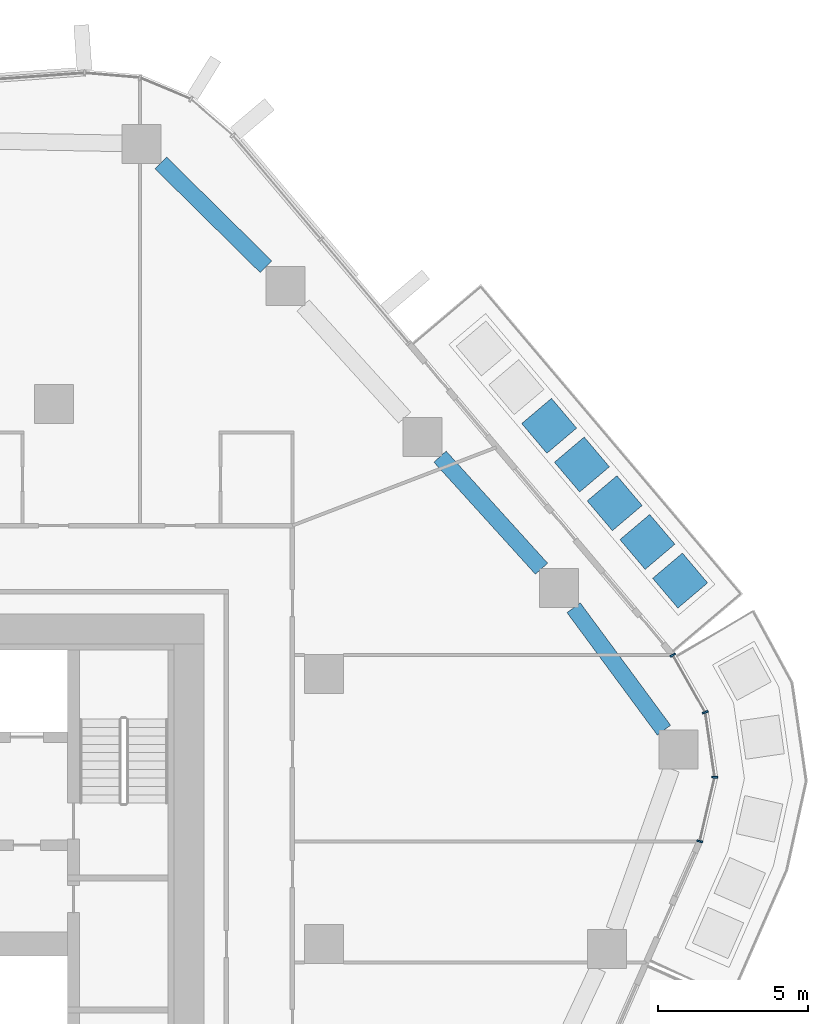
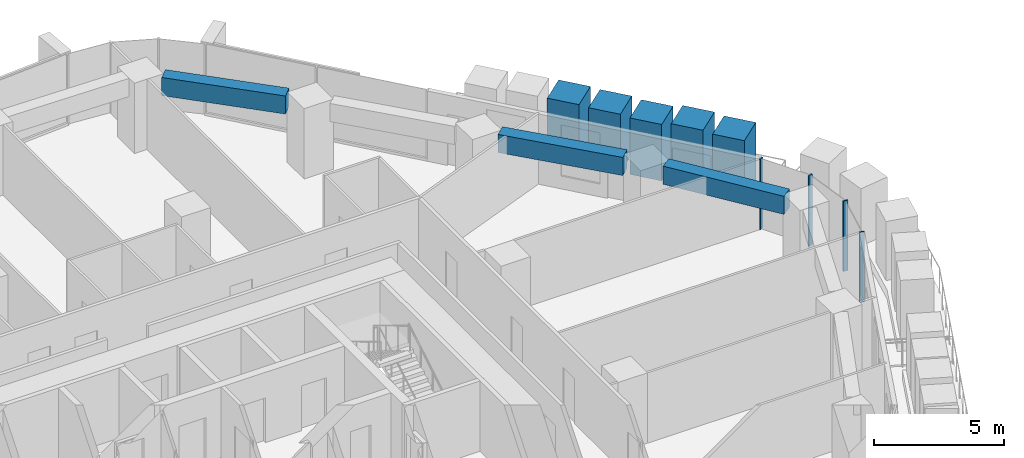
# One storey, part 8 of 24: 9 members, 3 beams, 1 element without a shape of its own.
"""IFC4 building model written with IfcOpenShell, lengths in metres."""

import ifcopenshell
import ifcopenshell.guid

model = None  # the IFC model being written
_history = None  # IfcOwnerHistory: only IFC2X3 demands one
_inside = {}  # id of a spatial element -> (the spatial element, [elements in it])
_under = {}  # id of a project, library or spatial element -> (it, [spatial elements below it])
_declared = {}  # id of a project -> (the project, [libraries it declares])
_typed = {}  # id of a type object -> (the type object, [elements of that type])
_made_of = {}  # id of a material, layer set ... -> (it, [elements and type objects made of it])


def new_model(schema):
    """Start an empty IFC model of exactly this schema.

    Asked for "IFC4X3", IfcOpenShell would pick the latest addendum, in which some entities
    have other attributes; the version numbers below select the first issue.
    IFC2X3 requires an IfcOwnerHistory on every rooted entity: one is made here for all.
    """
    global model, _history
    if schema == "IFC4X3":
        model = ifcopenshell.file(schema_version=(4, 3, 0, 0))
    else:
        model = ifcopenshell.file(schema=schema)
    _inside.clear()
    _under.clear()
    _declared.clear()
    _typed.clear()
    _made_of.clear()
    _history = None
    if model.schema == "IFC2X3":
        org = make("IfcOrganization", Name="unknown")
        user = make(
            "IfcPersonAndOrganization",
            ThePerson=make("IfcPerson", FamilyName="unknown"),
            TheOrganization=org,
        )
        app = make(
            "IfcApplication",
            ApplicationDeveloper=org,
            Version="unknown",
            ApplicationFullName="unknown",
            ApplicationIdentifier="unknown",
        )
        _history = make(
            "IfcOwnerHistory",
            OwningUser=user,
            OwningApplication=app,
            ChangeAction="ADDED",
            CreationDate=0,
        )
    return model


def make(cls, **values):
    """One entity of the class cls with the attributes given. An attribute that is None is left unset."""
    return model.create_entity(
        cls, **{name: value for name, value in values.items() if value is not None}
    )


def rooted(cls, **values):
    """An entity with a GlobalId (a new one), such as an element, a storey or a relation."""
    return make(cls, GlobalId=ifcopenshell.guid.new(), OwnerHistory=_history, **values)


def si_unit(unit_type, name, prefix=None):
    """IfcSIUnit, for example si_unit("LENGTHUNIT", "METRE", prefix="MILLI")."""
    return make("IfcSIUnit", UnitType=unit_type, Prefix=prefix, Name=name)


def assignment(units):
    """IfcUnitAssignment: the units of a project."""
    return None if units is None else make("IfcUnitAssignment", Units=units)


def point(xyz):
    """IfcCartesianPoint."""
    return None if xyz is None else make("IfcCartesianPoint", Coordinates=xyz)


def direction(xyz):
    """IfcDirection."""
    return None if xyz is None else make("IfcDirection", DirectionRatios=xyz)


def frame(location, z_axis=None, x_axis=None):
    """IfcAxis2Placement3D, a coordinate frame: its origin and axes. An axis left out is left unset."""
    return make(
        "IfcAxis2Placement3D",
        Location=point(location),
        Axis=direction(z_axis),
        RefDirection=direction(x_axis),
    )


def frame_2d(location, x_axis=None):
    """IfcAxis2Placement2D, a coordinate frame in the plane: its origin and x axis."""
    return make(
        "IfcAxis2Placement2D", Location=point(location), RefDirection=direction(x_axis)
    )


def origin():
    """The frame at (0, 0, 0) with its axes left unset."""
    return frame((0.0, 0.0, 0.0))


def origin_2d():
    """The frame at (0, 0) in the plane with its x axis left unset."""
    return frame_2d((0.0, 0.0))


def place(relative_to, where):
    """IfcLocalPlacement: puts the frame where relative to a parent placement (None: the world)."""
    return make(
        "IfcLocalPlacement", PlacementRelTo=relative_to, RelativePlacement=where
    )


def context(
    kind, dimensions, precision=None, world=None, true_north=None, identifier=None
):
    """IfcGeometricRepresentationContext, for example the 3D "Model" context."""
    return make(
        "IfcGeometricRepresentationContext",
        ContextIdentifier=identifier,
        ContextType=kind,
        CoordinateSpaceDimension=dimensions,
        Precision=precision,
        WorldCoordinateSystem=world,
        TrueNorth=true_north,
    )


def subcontext(parent, identifier, kind, view, scale=None):
    """IfcGeometricRepresentationSubContext, for example "Body" below "Model"."""
    return make(
        "IfcGeometricRepresentationSubContext",
        ContextIdentifier=identifier,
        ContextType=kind,
        ParentContext=parent,
        TargetScale=scale,
        TargetView=view,
    )


def project(units=None, contexts=None):
    """IfcProject with its units and contexts."""
    return rooted(
        "IfcProject",
        Name="project",
        RepresentationContexts=contexts,
        UnitsInContext=assignment(units),
    )


def spatial(cls, under=None, at=None, **own):
    """A site, building, storey or space (cls), placed at a placement, below another one or the project."""
    s = rooted(cls, ObjectPlacement=at, **own)
    if under is not None:
        _under.setdefault(under.id(), (under, []))[1].append(s)
    return s


def profile(cls, at=None, kind="AREA", **sizes):
    """A parametric profile (cls). Its sizes go by their IFC names, for example OverallWidth=200.0."""
    return make(cls, ProfileType=kind, Position=at, **sizes)


def rectangle(**sizes):
    """IfcRectangleProfileDef."""
    return profile("IfcRectangleProfileDef", **sizes)


def extrude(swept, where, along, depth):
    """IfcExtrudedAreaSolid: the profile swept, set in the frame where, extruded along a direction by depth."""
    return make(
        "IfcExtrudedAreaSolid",
        SweptArea=swept,
        Position=where,
        ExtrudedDirection=direction(along),
        Depth=depth,
    )


def shape(context_of_items, identifier, shape_type, items):
    """IfcShapeRepresentation: the items that make up one representation, for example the "Body"."""
    return make(
        "IfcShapeRepresentation",
        ContextOfItems=context_of_items,
        RepresentationIdentifier=identifier,
        RepresentationType=shape_type,
        Items=items,
    )


def material(Name=None, Category=None):
    """IfcMaterial."""
    return make("IfcMaterial", Name=Name, Category=Category)


def layer(
    of_material, thickness, ventilated=None, Name=None, Category=None, Priority=None
):
    """IfcMaterialLayer: one layer of a wall or slab, of a material (None: an air gap)."""
    return make(
        "IfcMaterialLayer",
        Material=of_material,
        LayerThickness=thickness,
        IsVentilated=ventilated,
        Name=Name,
        Category=Category,
        Priority=Priority,
    )


def layer_set(layers, Name=None):
    """IfcMaterialLayerSet."""
    return make("IfcMaterialLayerSet", MaterialLayers=layers, LayerSetName=Name)


def material_profile(
    of_material, cross_section, Name=None, Category=None, Priority=None
):
    """IfcMaterialProfile: a cross section and its material."""
    return make(
        "IfcMaterialProfile",
        Name=Name,
        Material=of_material,
        Profile=cross_section,
        Priority=Priority,
        Category=Category,
    )


def profile_set(profiles, Name=None, composite=None):
    """IfcMaterialProfileSet."""
    return make(
        "IfcMaterialProfileSet",
        Name=Name,
        MaterialProfiles=profiles,
        CompositeProfile=composite,
    )


def made_of(thing, what):
    """Note that an element or type object is made of a material, layer set ...; save() writes the relation."""
    if what is not None:
        _made_of.setdefault(what.id(), (what, []))[1].append(thing)
    return thing


def type_object(cls, material=None, **own):
    """A type object (cls), such as IfcWallType, which elements share."""
    return made_of(rooted(cls, **own), material)


def element(
    cls,
    number,
    at=None,
    inside=None,
    cuts=None,
    type_object=None,
    material=None,
    context=None,
    identifier="Body",
    shape_type=None,
    held_by="IfcProductDefinitionShape",
    body=None,
    shapes=None,
    **own,
):
    """One element of the class cls, such as IfcWall. Its Tag is "e" and its number.

    at: its placement. inside: the storey or other place that contains it. cuts: it is an
    opening in that element (IfcRelVoidsElement). A single representation is given by context,
    identifier, shape_type and body (its items); several are given by shapes. held_by: the class
    of the entity that holds the representations. save() writes the other relations.
    """
    e = rooted(cls, Tag="e%d" % number, ObjectPlacement=at, **own)
    if body is not None:
        shapes = [shape(context, identifier, shape_type, body)]
    if shapes is not None:
        e.Representation = make(held_by, Representations=shapes)
    if inside is not None:
        _inside.setdefault(inside.id(), (inside, []))[1].append(e)
    if cuts is not None:
        rooted(
            "IfcRelVoidsElement", RelatingBuildingElement=cuts, RelatedOpeningElement=e
        )
    if type_object is not None:
        _typed.setdefault(type_object.id(), (type_object, []))[1].append(e)
    return made_of(e, material)


def aggregate(whole, parts):
    """IfcRelAggregates: a whole, such as a stair, and the parts it consists of."""
    return rooted("IfcRelAggregates", RelatingObject=whole, RelatedObjects=parts)


def save(model, path):
    """Write the relations noted so far, then the file.

    IfcRelAggregates (storeys below a building ...), IfcRelContainedInSpatialStructure (elements
    in a storey), IfcRelDefinesByType, IfcRelAssociatesMaterial and IfcRelDeclares: one each for
    every whole, place, type object, material and project.
    """
    for whole, parts in _under.values():
        aggregate(whole, parts)
    for where, things in _inside.values():
        rooted(
            "IfcRelContainedInSpatialStructure",
            RelatedElements=things,
            RelatingStructure=where,
        )
    for kind, things in _typed.values():
        rooted("IfcRelDefinesByType", RelatedObjects=things, RelatingType=kind)
    for what, things in _made_of.values():
        rooted("IfcRelAssociatesMaterial", RelatedObjects=things, RelatingMaterial=what)
    for by, libraries in _declared.values():
        rooted("IfcRelDeclares", RelatingContext=by, RelatedDefinitions=libraries)
    model.write(path)


model = new_model("IFC4")

# Units and contexts
model_context = context("Model", 3, precision=1e-05, world=origin(), true_north=direction((0.0, 1.0)))
body_context = subcontext(model_context, "Body", "Model", "MODEL_VIEW")
ifc_project = project(units=[si_unit("LENGTHUNIT", "METRE"), si_unit("AREAUNIT", "SQUARE_METRE"), si_unit("VOLUMEUNIT", "CUBIC_METRE"), si_unit("PLANEANGLEUNIT", "RADIAN"), si_unit("MASSUNIT", "GRAM", prefix="KILO")], contexts=[model_context])

# Site, building, storey
site_placement = place(None, origin())
site = spatial("IfcSite", under=ifc_project, at=site_placement, CompositionType="ELEMENT")
building_placement = place(site_placement, origin())
building = spatial("IfcBuilding", under=site, at=building_placement, Name="Dongbaek Canopy Tower", CompositionType="ELEMENT")
storey_placement = place(building_placement, frame((0.0, 0.0, 110.0)))
storey = spatial("IfcBuildingStorey", under=building, at=storey_placement, Name="L23", CompositionType="ELEMENT", Elevation=110.0)

# Curtain wall, members
ifc_material_1 = material(Name="Aluminium 6063-T6 pale anodised", Category="aluminium")
ifc_layer = layer(ifc_material_1, 0.199951171875)
ifc_layer_set = layer_set([ifc_layer], Name="CW-1 unitised tower curtain wall")
curtain_wall_type = type_object("IfcCurtainWallType", Name="CW-1 unitised tower curtain wall", PredefinedType="NOTDEFINED", material=ifc_layer_set)
curtain_wall_placement = place(storey_placement, origin())
curtain_wall = element("IfcCurtainWall", 1, at=curtain_wall_placement, inside=storey, type_object=curtain_wall_type, Name="CW-1 curtain wall K0.1", PredefinedType="NOTDEFINED")
ifc_material_2 = material(Name="Aluminium 6063-T6 pale anodised", Category="aluminium")
ifc_material_profile_1 = material_profile(ifc_material_2, rectangle(XDim=0.199951171875, YDim=0.06005859375, at=origin_2d()), Name="CW-1 mullion 60 x 200")
ifc_profile_set_1 = profile_set([ifc_material_profile_1], Name="Aluminium 6063-T6 pale anodised")
member_type_1 = type_object("IfcMemberType", Name="CW-1 mullion 60 x 200", PredefinedType="MULLION", material=ifc_profile_set_1)
member_1_placement = place(storey_placement, frame((30.52392578125, 3.428955078125, 0.0), z_axis=(0.0, 0.0, 1.0), x_axis=(0.973926640622, -0.226863171729, 0.0)))
member_1 = element("IfcMember", 2, at=member_1_placement, type_object=member_type_1, Name="CW-1 mullion K0.1.1", PredefinedType="MULLION", context=body_context, shape_type="SweptSolid", body=[
    extrude(rectangle(XDim=0.199951171875, YDim=0.06005859375, at=origin_2d()), origin(), (0.0, 0.0, 1.0), 3.300048828125),
])
member_2_placement = place(storey_placement, frame((31.021728515625, 5.565673828125, 0.0), z_axis=(0.0, 0.0, 1.0), x_axis=(0.999092616209, -0.042590424237, 0.0)))
member_2 = element("IfcMember", 3, at=member_2_placement, type_object=member_type_1, Name="CW-1 mullion K0.1.2", PredefinedType="MULLION", context=body_context, shape_type="SweptSolid", body=[
    extrude(rectangle(XDim=0.199951171875, YDim=0.06005859375, at=origin_2d()), origin(), (0.0, 0.0, 1.0), 3.300048828125),
])
member_3_placement = place(storey_placement, frame((30.708984375, 7.7275390625, 0.0), z_axis=(0.0, 0.0, 1.0), x_axis=(0.946074291916, 0.323949740201, 0.0)))
member_3 = element("IfcMember", 4, at=member_3_placement, type_object=member_type_1, Name="CW-1 mullion K0.1.3", PredefinedType="MULLION", context=body_context, shape_type="SweptSolid", body=[
    extrude(rectangle(XDim=0.199951171875, YDim=0.06005859375, at=origin_2d()), origin(), (0.0, 0.0, 1.0), 3.300048828125),
])
member_4_placement = place(storey_placement, frame((29.626220703125, 9.6357421875, 0.0), z_axis=(0.0, 0.0, 1.0), x_axis=(0.869723883779, 0.493538616507, 0.0)))
member_4 = element("IfcMember", 5, at=member_4_placement, type_object=member_type_1, Name="CW-1 mullion K0.1.4", PredefinedType="MULLION", context=body_context, shape_type="SweptSolid", body=[
    extrude(rectangle(XDim=0.199951171875, YDim=0.06005859375, at=origin_2d()), origin(), (0.0, 0.0, 1.0), 3.300048828125),
])
aggregate(curtain_wall, [member_1, member_2, member_3, member_4])

# Beams
ifc_material_3 = material(Name="Concrete C80", Category="concrete")
ifc_material_profile_2 = material_profile(ifc_material_3, rectangle(XDim=0.550048828125, YDim=0.85009765625, at=origin_2d()), Name="RC EDGE BEAM 550x850 C80")
ifc_profile_set_2 = profile_set([ifc_material_profile_2], Name="Concrete C80")
beam_type = type_object("IfcBeamType", Name="RC EDGE BEAM 550x850 C80", PredefinedType="BEAM", material=ifc_profile_set_2)
beam_1_placement = place(storey_placement, frame((12.56689453125, 26.032470703125, 2.875), z_axis=(0.711707070228, -0.702476366995, 0.0), x_axis=(0.702476366995, 0.711707070228, 0.0)))
element("IfcBeam", 6, at=beam_1_placement, inside=storey, type_object=beam_type, Name="EDGEBEAM:L23:17", PredefinedType="BEAM", context=body_context, shape_type="SweptSolid", body=[
    extrude(rectangle(XDim=0.550048828125, YDim=0.85009765625, at=origin_2d()), origin(), (0.0, 0.0, 1.0), 4.91943359375),
])
beam_2_placement = place(storey_placement, frame((21.86865234375, 16.248046875, 2.875), z_axis=(0.671270897358, -0.74121210349, 0.0), x_axis=(0.74121210349, 0.671270897358, 0.0)))
element("IfcBeam", 7, at=beam_2_placement, inside=storey, type_object=beam_type, Name="EDGEBEAM:L23:19", PredefinedType="BEAM", context=body_context, shape_type="SweptSolid", body=[
    extrude(rectangle(XDim=0.550048828125, YDim=0.85009765625, at=origin_2d()), origin(), (0.0, 0.0, 1.0), 5.04052734375),
])
beam_3_placement = place(storey_placement, frame((26.320556640625, 11.2119140625, 2.875), z_axis=(0.593780308667, -0.804627208736, 0.0), x_axis=(0.804627208736, 0.593780308667, 0.0)))
element("IfcBeam", 8, at=beam_3_placement, inside=storey, type_object=beam_type, Name="EDGEBEAM:L23:20", PredefinedType="BEAM", context=body_context, shape_type="SweptSolid", body=[
    extrude(rectangle(XDim=0.550048828125, YDim=0.85009765625, at=origin_2d()), origin(), (0.0, 0.0, 1.0), 5.070556640625),
])

# Members
ifc_material_4 = material(Name="Concrete C40/50 planter mass with planting", Category="concrete")
ifc_material_profile_3 = material_profile(ifc_material_4, rectangle(XDim=1.300048828125, YDim=1.300048828125, at=origin_2d()), Name="Terrace PLANTER shrub mass 1300 x 1300")
ifc_profile_set_3 = profile_set([ifc_material_profile_3], Name="Concrete C40/50 planter mass with planting")
member_type_2 = type_object("IfcMemberType", Name="Terrace PLANTER shrub mass 1300 x 1300", PredefinedType="USERDEFINED", material=ifc_profile_set_3)
member_5_placement = place(storey_placement, frame((29.871337890625, 12.11669921875, 0.419921875), z_axis=(0.0, 0.0, 1.0), x_axis=(0.763289924972, 0.646056104712, 0.0)))
element("IfcMember", 9, at=member_5_placement, inside=storey, type_object=member_type_2, Name="Planter shrubs L23 1.1", ObjectType="PLANTER", PredefinedType="USERDEFINED", context=body_context, shape_type="SweptSolid", body=[
    extrude(rectangle(XDim=1.300048828125, YDim=1.300048828125, at=origin_2d()), origin(), (0.0, 0.0, 1.0), 2.690185546875),
])
member_6_placement = place(storey_placement, frame((28.780029296875, 13.406005859375, 0.419921875), z_axis=(0.0, 0.0, 1.0), x_axis=(0.763289924972, 0.646056104712, 0.0)))
element("IfcMember", 10, at=member_6_placement, inside=storey, type_object=member_type_2, Name="Planter shrubs L23 1.2", ObjectType="PLANTER", PredefinedType="USERDEFINED", context=body_context, shape_type="SweptSolid", body=[
    extrude(rectangle(XDim=1.300048828125, YDim=1.300048828125, at=origin_2d()), origin(), (0.0, 0.0, 1.0), 2.780029296875),
])
member_7_placement = place(storey_placement, frame((27.688720703125, 14.695556640625, 0.419921875), z_axis=(0.0, 0.0, 1.0), x_axis=(0.763289924972, 0.646056104712, 0.0)))
element("IfcMember", 11, at=member_7_placement, inside=storey, type_object=member_type_2, Name="Planter shrubs L23 1.3", ObjectType="PLANTER", PredefinedType="USERDEFINED", context=body_context, shape_type="SweptSolid", body=[
    extrude(rectangle(XDim=1.300048828125, YDim=1.300048828125, at=origin_2d()), origin(), (0.0, 0.0, 1.0), 2.650146484375),
])
member_8_placement = place(storey_placement, frame((26.597412109375, 15.98486328125, 0.419921875), z_axis=(0.0, 0.0, 1.0), x_axis=(0.763289924972, 0.646056104712, 0.0)))
element("IfcMember", 12, at=member_8_placement, inside=storey, type_object=member_type_2, Name="Planter shrubs L23 1.4", ObjectType="PLANTER", PredefinedType="USERDEFINED", context=body_context, shape_type="SweptSolid", body=[
    extrude(rectangle(XDim=1.300048828125, YDim=1.300048828125, at=origin_2d()), origin(), (0.0, 0.0, 1.0), 2.72998046875),
])
member_9_placement = place(storey_placement, frame((25.506103515625, 17.274169921875, 0.419921875), z_axis=(0.0, 0.0, 1.0), x_axis=(0.763289924972, 0.646056104712, 0.0)))
element("IfcMember", 13, at=member_9_placement, inside=storey, type_object=member_type_2, Name="Planter shrubs L23 1.5", ObjectType="PLANTER", PredefinedType="USERDEFINED", context=body_context, shape_type="SweptSolid", body=[
    extrude(rectangle(XDim=1.300048828125, YDim=1.300048828125, at=origin_2d()), origin(), (0.0, 0.0, 1.0), 2.780029296875),
])

save(model, "model.ifc")
